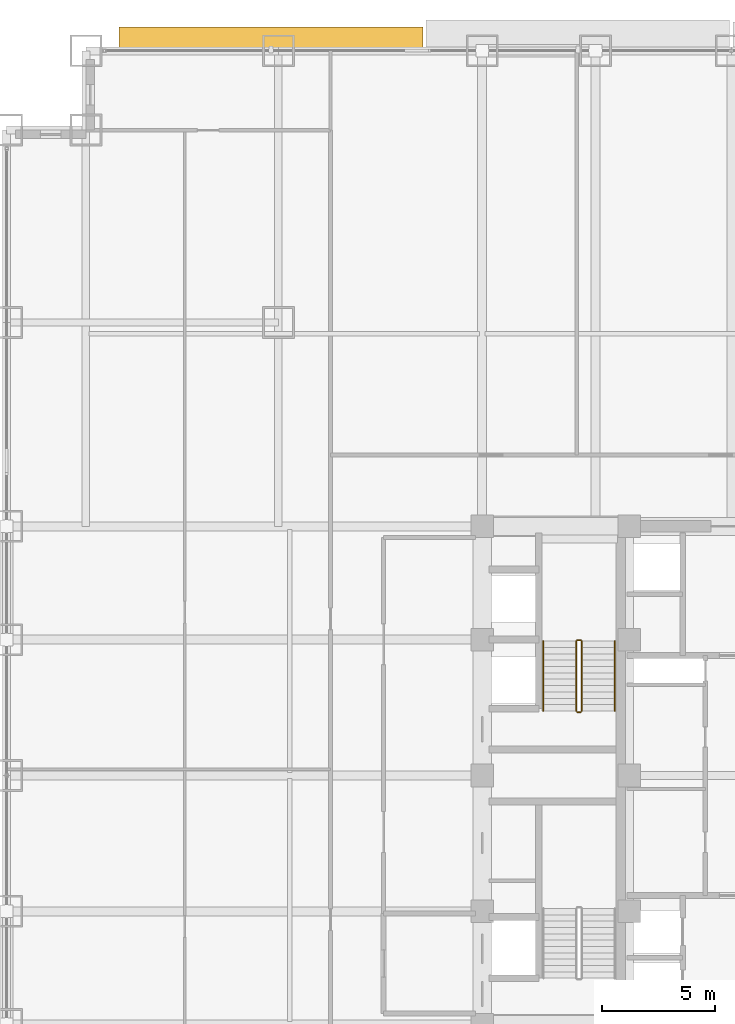
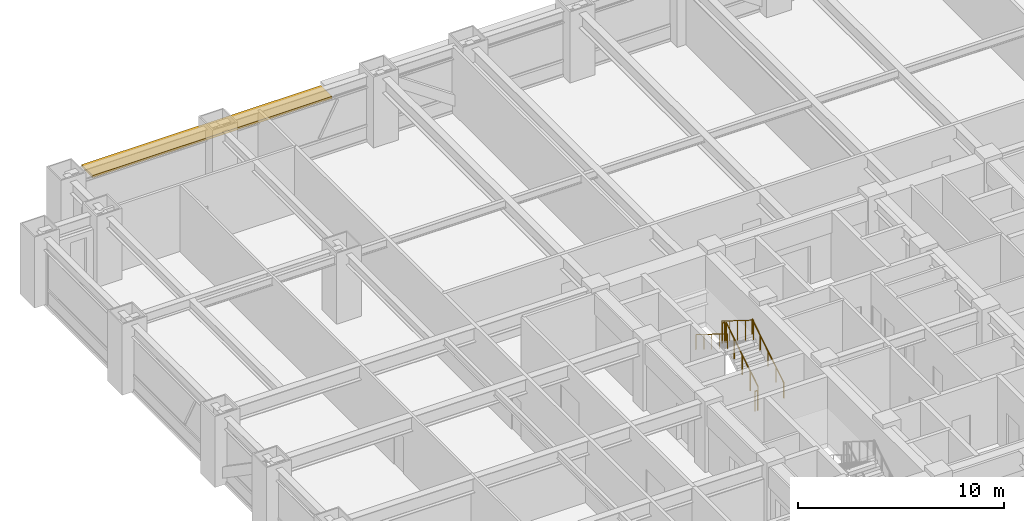
# One storey, part 31 of 32: 6 railings, 1 shading device.
"""IFC4 building model written with IfcOpenShell, lengths in metres."""

from ifc_helpers import new_model, si_unit, direction, frame, origin, origin_2d, place, context, subcontext, project, spatial, rectangle, circle, extrude, source, transform, mapped, material, layer, layer_set, type_object, element, save


model = new_model("IFC4")

# Units and contexts
model_context = context("Model", 3, precision=1e-05, world=origin(), true_north=direction((0.0, 1.0)))
body_context = subcontext(model_context, "Body", "Model", "MODEL_VIEW")
ifc_project = project(units=[si_unit("LENGTHUNIT", "METRE"), si_unit("AREAUNIT", "SQUARE_METRE"), si_unit("VOLUMEUNIT", "CUBIC_METRE"), si_unit("PLANEANGLEUNIT", "RADIAN"), si_unit("MASSUNIT", "GRAM", prefix="KILO")], contexts=[model_context])

# Site, building, storey
site_placement = place(None, origin())
site = spatial("IfcSite", under=ifc_project, at=site_placement, CompositionType="ELEMENT")
building_placement = place(site_placement, origin())
building = spatial("IfcBuilding", under=site, at=building_placement, Name="Khorayat Bourse Tower", CompositionType="ELEMENT")
storey_placement = place(building_placement, frame((0.0, 0.0, 74.60009765625)))
storey = spatial("IfcBuildingStorey", under=building, at=storey_placement, Name="L16", CompositionType="ELEMENT", Elevation=74.60009765625)

# Shading device
ifc_material_1 = material(Name="Precast concrete C45/55", Category="concrete")
ifc_layer = layer(ifc_material_1, 0.139892578125)
ifc_layer_set = layer_set([ifc_layer], Name="Precast concrete C45/55")
shading_device_type = type_object("IfcShadingDeviceType", Name="SHD-WAVE-TRAY-B", PredefinedType="USERDEFINED", material=ifc_layer_set)
shared_shape_1 = source(origin(), body_context, "Body", "SweptSolid", [
    extrude(rectangle(XDim=13.409912109375, YDim=1.076171875, at=origin_2d()), origin(), (0.0, 0.0, 1.0), 0.139892578125),
])
shading_device_placement = place(storey_placement, frame((-20.324951171875, 32.51806640625, 3.18994140625), z_axis=(0.0, 0.0, 1.0), x_axis=(1.0, 0.0, 0.0)))
element("IfcShadingDevice", 1, at=shading_device_placement, inside=storey, type_object=shading_device_type, Name="L16 Sinusoidal Wave Sunshade Tray N-1", ObjectType="SUNSHADE", PredefinedType="USERDEFINED", context=body_context, shape_type="MappedRepresentation", body=[
    mapped(shared_shape_1, transform((0.0, 0.0, 0.0), scale=1.0)),
])

# Railings
ifc_material_2 = material(Name="Powder-coated steel balustrade", Category="steel")
railing_type_1 = type_object("IfcRailingType", Name="RLG-GUARD-1200", PredefinedType="GUARDRAIL", material=ifc_material_2)
shared_shape_2 = source(origin(), body_context, "Body", "SweptSolid", [
    extrude(circle(Radius=0.02392578125, at=origin_2d()), frame((0.0, 0.0, 1.17578125), z_axis=(-1.0, 0.0, 0.0), x_axis=(0.0, -1.0, 0.0)), (0.0, 0.0, 1.0), 0.150146484375),
    extrude(circle(Radius=0.02099609375, at=origin_2d()), origin(), (0.0, 0.0, 1.0), 1.15185546875),
    extrude(circle(Radius=0.02099609375, at=origin_2d()), frame((-0.150146484375, 0.0, 0.0)), (0.0, 0.0, 1.0), 1.15185546875),
])
for number, where, name in (
    (2, (-6.64990234375, 5.97998046875, 2.099853515625), "L16 ST-2 stair guard 2"),
    (3, (-6.64990234375, 2.800048828125, 0.0), "L16 ST-2 stair guard 4"),
):
    element("IfcRailing", number, at=place(storey_placement, frame(where)), inside=storey, type_object=railing_type_1, Name=name, PredefinedType="GUARDRAIL", context=body_context, shape_type="MappedRepresentation", body=[
        mapped(shared_shape_2, transform((0.0, 0.0, 0.0), scale=1.0)),
    ])
shared_shape_3 = source(origin(), body_context, "Body", "SweptSolid", [
    extrude(circle(Radius=0.02392578125, at=origin_2d()), frame((0.0, 0.0, 1.17578125), z_axis=(0.0, 0.847979421464, 0.530029150871), x_axis=(-1.0, 0.0, 0.0)), (0.0, 0.0, 1.0), 3.632080078125),
    extrude(circle(Radius=0.02099609375, at=origin_2d()), origin(), (0.0, 0.0, 1.0), 1.15185546875),
    extrude(circle(Radius=0.02099609375, at=origin_2d()), frame((0.0, 0.77001953125, 0.481201171875)), (0.0, 0.0, 1.0), 1.15185546875),
    extrude(circle(Radius=0.02099609375, at=origin_2d()), frame((0.0, 1.5400390625, 0.96240234375)), (0.0, 0.0, 1.0), 1.15185546875),
    extrude(circle(Radius=0.02099609375, at=origin_2d()), frame((0.0, 2.309814453125, 1.44384765625)), (0.0, 0.0, 1.0), 1.15185546875),
    extrude(circle(Radius=0.02099609375, at=origin_2d()), frame((0.0, 3.079833984375, 1.925048828125)), (0.0, 0.0, 1.0), 1.15185546875),
])
railing_1_placement = place(storey_placement, frame((-6.60009765625, 2.85009765625, 0.1748046875)))
element("IfcRailing", 4, at=railing_1_placement, inside=storey, type_object=railing_type_1, Name="L16 ST-2 stair guard 1", PredefinedType="GUARDRAIL", context=body_context, shape_type="MappedRepresentation", body=[
    mapped(shared_shape_3, transform((0.0, 0.0, 0.0), scale=1.0)),
])
shared_shape_4 = source(origin(), body_context, "Body", "SweptSolid", [
    extrude(circle(Radius=0.02392578125, at=origin_2d()), frame((0.0, 0.0, 1.17578125), z_axis=(0.0, -0.847979421464, 0.530029150871), x_axis=(1.0, 0.0, 0.0)), (0.0, 0.0, 1.0), 3.632080078125),
    extrude(circle(Radius=0.02099609375, at=origin_2d()), origin(), (0.0, 0.0, 1.0), 1.15185546875),
    extrude(circle(Radius=0.02099609375, at=origin_2d()), frame((0.0, -0.77001953125, 0.481201171875)), (0.0, 0.0, 1.0), 1.15185546875),
    extrude(circle(Radius=0.02099609375, at=origin_2d()), frame((0.0, -1.5400390625, 0.96240234375)), (0.0, 0.0, 1.0), 1.15185546875),
    extrude(circle(Radius=0.02099609375, at=origin_2d()), frame((0.0, -2.309814453125, 1.44384765625)), (0.0, 0.0, 1.0), 1.15185546875),
    extrude(circle(Radius=0.02099609375, at=origin_2d()), frame((0.0, -3.079833984375, 1.925048828125)), (0.0, 0.0, 1.0), 1.15185546875),
])
railing_2_placement = place(storey_placement, frame((-6.85009765625, 5.929931640625, 2.27490234375)))
element("IfcRailing", 5, at=railing_2_placement, inside=storey, type_object=railing_type_1, Name="L16 ST-2 stair guard 3", PredefinedType="GUARDRAIL", context=body_context, shape_type="MappedRepresentation", body=[
    mapped(shared_shape_4, transform((0.0, 0.0, 0.0), scale=1.0)),
])
ifc_material_3 = material(Name="Brushed bronze stainless-steel handrail", Category="steel")
railing_type_2 = type_object("IfcRailingType", Name="RLG-HAND-900", PredefinedType="HANDRAIL", material=ifc_material_3)
shared_shape_5 = source(origin(), body_context, "Body", "SweptSolid", [
    extrude(circle(Radius=0.02392578125, at=origin_2d()), frame((0.0, 0.0, 0.8759765625), z_axis=(0.0, 0.847979421464, 0.530029150871), x_axis=(-1.0, 0.0, 0.0)), (0.0, 0.0, 1.0), 3.632080078125),
    extrude(circle(Radius=0.02099609375, at=origin_2d()), origin(), (0.0, 0.0, 1.0), 0.851806640625),
    extrude(circle(Radius=0.02099609375, at=origin_2d()), frame((0.0, 0.77001953125, 0.481201171875)), (0.0, 0.0, 1.0), 0.851806640625),
    extrude(circle(Radius=0.02099609375, at=origin_2d()), frame((0.0, 1.5400390625, 0.96240234375)), (0.0, 0.0, 1.0), 0.851806640625),
    extrude(circle(Radius=0.02099609375, at=origin_2d()), frame((0.0, 2.309814453125, 1.44384765625)), (0.0, 0.0, 1.0), 0.851806640625),
    extrude(circle(Radius=0.02099609375, at=origin_2d()), frame((0.0, 3.079833984375, 1.925048828125)), (0.0, 0.0, 1.0), 0.851806640625),
])
railing_3_placement = place(storey_placement, frame((-5.14990234375, 2.85009765625, 0.1748046875)))
element("IfcRailing", 6, at=railing_3_placement, inside=storey, type_object=railing_type_2, Name="L16 ST-2 stair handrail 1", PredefinedType="HANDRAIL", context=body_context, shape_type="MappedRepresentation", body=[
    mapped(shared_shape_5, transform((0.0, 0.0, 0.0), scale=1.0)),
])
shared_shape_6 = source(origin(), body_context, "Body", "SweptSolid", [
    extrude(circle(Radius=0.02392578125, at=origin_2d()), frame((0.0, 0.0, 0.8759765625), z_axis=(0.0, -0.847979421464, 0.530029150871), x_axis=(1.0, 0.0, 0.0)), (0.0, 0.0, 1.0), 3.632080078125),
    extrude(circle(Radius=0.02099609375, at=origin_2d()), origin(), (0.0, 0.0, 1.0), 0.851806640625),
    extrude(circle(Radius=0.02099609375, at=origin_2d()), frame((0.0, -0.77001953125, 0.481201171875)), (0.0, 0.0, 1.0), 0.851806640625),
    extrude(circle(Radius=0.02099609375, at=origin_2d()), frame((0.0, -1.5400390625, 0.96240234375)), (0.0, 0.0, 1.0), 0.851806640625),
    extrude(circle(Radius=0.02099609375, at=origin_2d()), frame((0.0, -2.309814453125, 1.44384765625)), (0.0, 0.0, 1.0), 0.851806640625),
    extrude(circle(Radius=0.02099609375, at=origin_2d()), frame((0.0, -3.079833984375, 1.925048828125)), (0.0, 0.0, 1.0), 0.851806640625),
])
railing_4_placement = place(storey_placement, frame((-8.300048828125, 5.929931640625, 2.27490234375)))
element("IfcRailing", 7, at=railing_4_placement, inside=storey, type_object=railing_type_2, Name="L16 ST-2 stair handrail 2", PredefinedType="HANDRAIL", context=body_context, shape_type="MappedRepresentation", body=[
    mapped(shared_shape_6, transform((0.0, 0.0, 0.0), scale=1.0)),
])

save(model, "model.ifc")
